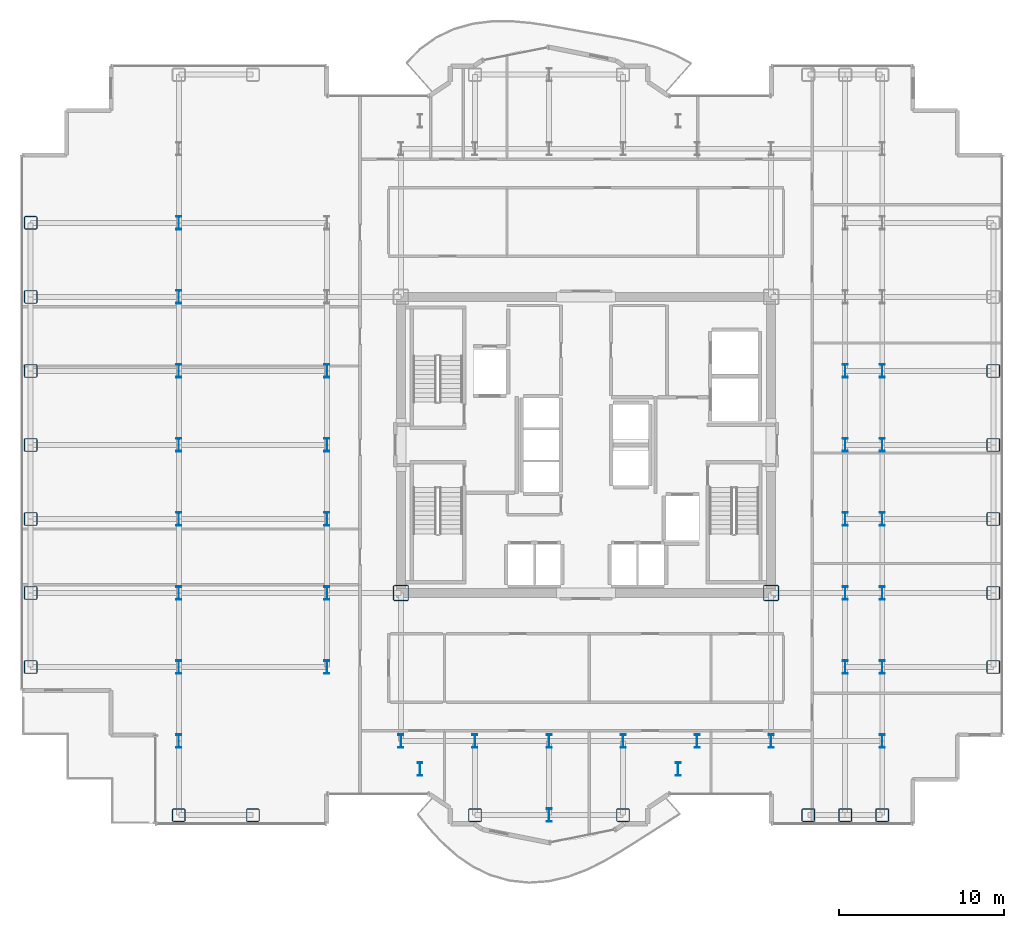
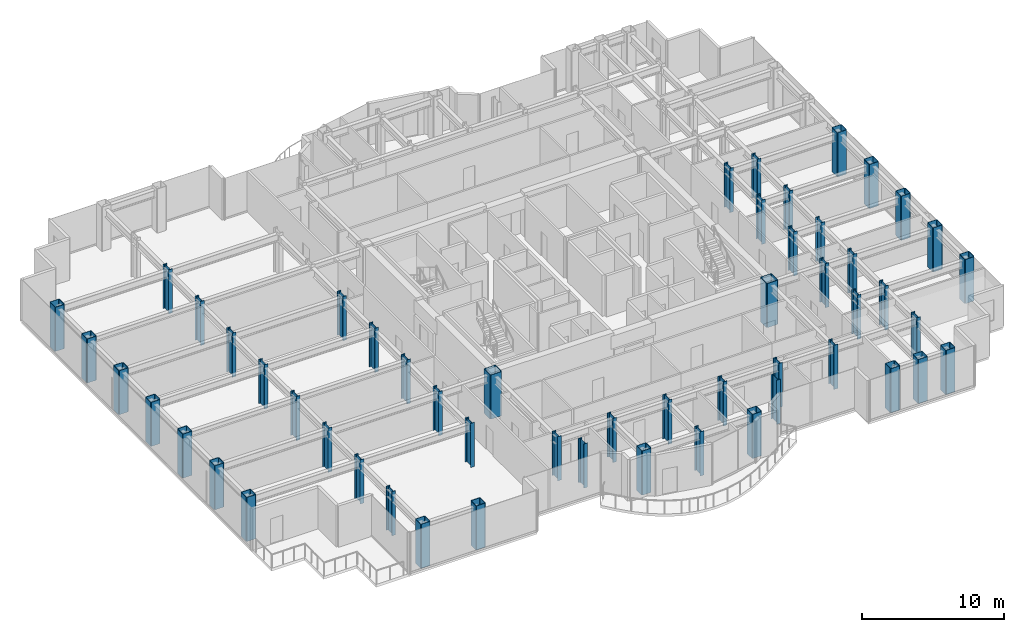
# One storey, part 1 of 23: 54 columns.
"""IFC4 building model written with IfcOpenShell, lengths in metres."""

from ifc_helpers import new_model, si_unit, direction, frame, origin, origin_2d, place, context, subcontext, project, spatial, hollow_rectangle, i_section, extrude, source, transform, mapped, material, material_profile, profile_set, type_object, element, save


model = new_model("IFC4")

# Units and contexts
model_context = context("Model", 3, precision=1e-05, world=origin(), true_north=direction((0.0, 1.0)))
body_context = subcontext(model_context, "Body", "Model", "MODEL_VIEW")
ifc_project = project(units=[si_unit("LENGTHUNIT", "METRE"), si_unit("AREAUNIT", "SQUARE_METRE"), si_unit("VOLUMEUNIT", "CUBIC_METRE"), si_unit("PLANEANGLEUNIT", "RADIAN"), si_unit("MASSUNIT", "GRAM", prefix="KILO")], contexts=[model_context])

# Site, building, storey
site_placement = place(None, origin())
site = spatial("IfcSite", under=ifc_project, at=site_placement, CompositionType="ELEMENT")
building_placement = place(site_placement, origin())
building = spatial("IfcBuilding", under=site, at=building_placement, Name="Nefas-Gora Pilgrimage Tower", CompositionType="ELEMENT")
storey_placement = place(building_placement, frame((0.0, 0.0, 164.0)))
storey = spatial("IfcBuildingStorey", under=building, at=storey_placement, Name="L40", CompositionType="ELEMENT", Elevation=164.0)

# Columns
ifc_material = material(Name="Steel S460", Category="steel")
ifc_material_profile_1 = material_profile(ifc_material, hollow_rectangle(XDim=0.949951171875, YDim=0.949951171875, WallThickness=0.044921875, InnerFilletRadius=0.044921875, OuterFilletRadius=0.090087890625, at=origin_2d()), Name="BOX 950x950x45")
ifc_profile_set_1 = profile_set([ifc_material_profile_1], Name="Steel S460")
column_type_1 = type_object("IfcColumnType", Name="COL-CORE-950", PredefinedType="COLUMN", material=ifc_profile_set_1)
shared_shape_1 = source(origin(), body_context, "Body", "SweptSolid", [
    extrude(hollow_rectangle(XDim=0.949951171875, YDim=0.949951171875, WallThickness=0.044921875, InnerFilletRadius=0.044921875, OuterFilletRadius=0.090087890625, at=origin_2d()), origin(), (0.0, 0.0, 1.0), 3.800048828125),
])
for number, where, z_axis, x_axis, name in (
    (1, (-11.25, -9.0, 0.0), (0.0, 0.0, 1.0), (1.0, 0.0, 0.0), "L40 Tower Column CC-Z1.29"),
    (2, (11.25, -9.0, 0.0), (0.0, 0.0, 1.0), (1.0, 0.0, 0.0), "L40 Tower Column CC-Z1.51"),
):
    element("IfcColumn", number, at=place(storey_placement, frame(where, z_axis=z_axis, x_axis=x_axis)), inside=storey, type_object=column_type_1, Name=name, PredefinedType="COLUMN", context=body_context, shape_type="MappedRepresentation", body=[
        mapped(shared_shape_1, transform((0.0, 0.0, 0.0), x_axis=(1.0, 0.0, 0.0), y_axis=(0.0, 1.0, 0.0), z_axis=(0.0, 0.0, 1.0), scale=1.0)),
    ])
ifc_material_profile_2 = material_profile(ifc_material, hollow_rectangle(XDim=0.800048828125, YDim=0.800048828125, WallThickness=0.0400390625, InnerFilletRadius=0.0400390625, OuterFilletRadius=0.080078125, at=origin_2d()), Name="BOX 800x800x40")
ifc_profile_set_2 = profile_set([ifc_material_profile_2], Name="Steel S460")
column_type_2 = type_object("IfcColumnType", Name="COL-TUBE-800", PredefinedType="COLUMN", material=ifc_profile_set_2)
shared_shape_2 = source(origin(), body_context, "Body", "SweptSolid", [
    extrude(hollow_rectangle(XDim=0.800048828125, YDim=0.800048828125, WallThickness=0.0400390625, InnerFilletRadius=0.0400390625, OuterFilletRadius=0.080078125, at=origin_2d()), origin(), (0.0, 0.0, 1.0), 3.800048828125),
])
for number, where, z_axis, x_axis, name in (
    (3, (-33.75, -13.5, 0.0), (0.0, 0.0, 1.0), (1.0, 0.0, 0.0), "L40 Tower Column C-Z2.1"),
    (4, (-33.75, -9.0, 0.0), (0.0, 0.0, 1.0), (1.0, 0.0, 0.0), "L40 Tower Column C-Z2.2"),
    (5, (-33.75, -4.5, 0.0), (0.0, 0.0, 1.0), (1.0, 0.0, 0.0), "L40 Tower Column C-Z2.3"),
    (6, (-33.75, 0.0, 0.0), (0.0, 0.0, 1.0), (1.0, 0.0, 0.0), "L40 Tower Column C-Z2.4"),
    (7, (-33.75, 4.5, 0.0), (0.0, 0.0, 1.0), (1.0, 0.0, 0.0), "L40 Tower Column C-Z2.5"),
    (8, (-33.75, 9.0, 0.0), (0.0, 0.0, 1.0), (1.0, 0.0, 0.0), "L40 Tower Column C-Z2.6"),
    (9, (-33.75, 13.5, 0.0), (0.0, 0.0, 1.0), (1.0, 0.0, 0.0), "L40 Tower Column C-Z2.7"),
    (10, (-24.75, -22.5, 0.0), (0.0, 0.0, 1.0), (1.0, 0.0, 0.0), "L40 Tower Column C-Z2.8"),
    (11, (-20.25, -22.5, 0.0), (0.0, 0.0, 1.0), (1.0, 0.0, 0.0), "L40 Tower Column C-Z2.19"),
    (12, (-6.75, -22.5, 0.0), (0.0, 0.0, 1.0), (1.0, 0.0, 0.0), "L40 Tower Column C-Z2.34"),
    (13, (2.25, -22.5, 0.0), (0.0, 0.0, 1.0), (1.0, 0.0, 0.0), "L40 Tower Column C-Z2.42"),
    (14, (13.5, -22.5, 0.0), (0.0, 0.0, 1.0), (1.0, 0.0, 0.0), "L40 Tower Column C-Z2.54"),
    (15, (15.75, -22.5, 0.0), (0.0, 0.0, 1.0), (1.0, 0.0, 0.0), "L40 Tower Column C-Z2.56"),
    (16, (18.0, -22.5, 0.0), (0.0, 0.0, 1.0), (1.0, 0.0, 0.0), "L40 Tower Column C-Z2.65"),
    (17, (24.75, -13.5, 0.0), (0.0, 0.0, 1.0), (1.0, 0.0, 0.0), "L40 Tower Column C-Z2.76"),
    (18, (24.75, -9.0, 0.0), (0.0, 0.0, 1.0), (1.0, 0.0, 0.0), "L40 Tower Column C-Z2.77"),
    (19, (24.75, -4.5, 0.0), (0.0, 0.0, 1.0), (1.0, 0.0, 0.0), "L40 Tower Column C-Z2.78"),
    (20, (24.75, 0.0, 0.0), (0.0, 0.0, 1.0), (1.0, 0.0, 0.0), "L40 Tower Column C-Z2.79"),
    (21, (24.75, 4.5, 0.0), (0.0, 0.0, 1.0), (1.0, 0.0, 0.0), "L40 Tower Column C-Z2.80"),
):
    element("IfcColumn", number, at=place(storey_placement, frame(where, z_axis=z_axis, x_axis=x_axis)), inside=storey, type_object=column_type_2, Name=name, PredefinedType="COLUMN", context=body_context, shape_type="MappedRepresentation", body=[
        mapped(shared_shape_2, transform((0.0, 0.0, 0.0), x_axis=(1.0, 0.0, 0.0), y_axis=(0.0, 1.0, 0.0), z_axis=(0.0, 0.0, 1.0), scale=1.0)),
    ])
ifc_material_profile_3 = material_profile(ifc_material, i_section(OverallWidth=0.302978515625, OverallDepth=0.81396484375, WebThickness=0.02099609375, FlangeThickness=0.0400390625, FilletRadius=0.030029296875, at=origin_2d()), Name="HEM 800")
ifc_profile_set_3 = profile_set([ifc_material_profile_3], Name="Steel S460")
column_type_3 = type_object("IfcColumnType", Name="COL-WEB-HEM800", PredefinedType="COLUMN", material=ifc_profile_set_3)
shared_shape_3 = source(origin(), body_context, "Body", "SweptSolid", [
    extrude(i_section(OverallWidth=0.302978515625, OverallDepth=0.81396484375, WebThickness=0.02099609375, FlangeThickness=0.0400390625, FilletRadius=0.030029296875, at=origin_2d()), origin(), (0.0, 0.0, 1.0), 3.800048828125),
])
for number, where, z_axis, x_axis, name in (
    (22, (-24.75, -18.0, 0.0), (0.0, 0.0, 1.0), (1.0, 0.0, 0.0), "L40 Tower Column CW-02.9"),
    (23, (-24.75, -13.5, 0.0), (0.0, 0.0, 1.0), (1.0, 0.0, 0.0), "L40 Tower Column CW-02.10"),
    (24, (-24.75, -9.0, 0.0), (0.0, 0.0, 1.0), (1.0, 0.0, 0.0), "L40 Tower Column CW-02.11"),
    (25, (-24.75, -4.5, 0.0), (0.0, 0.0, 1.0), (1.0, 0.0, 0.0), "L40 Tower Column CW-02.12"),
    (26, (-24.75, 0.0, 0.0), (0.0, 0.0, 1.0), (1.0, 0.0, 0.0), "L40 Tower Column CW-02.13"),
    (27, (-24.75, 4.5, 0.0), (0.0, 0.0, 1.0), (1.0, 0.0, 0.0), "L40 Tower Column CW-02.14"),
    (28, (-24.75, 9.0, 0.0), (0.0, 0.0, 1.0), (1.0, 0.0, 0.0), "L40 Tower Column CW-02.15"),
    (29, (-24.75, 13.5, 0.0), (0.0, 0.0, 1.0), (1.0, 0.0, 0.0), "L40 Tower Column CW-02.16"),
    (30, (-15.75, -13.5, 0.0), (0.0, 0.0, 1.0), (1.0, 0.0, 0.0), "L40 Tower Column CW-02.21"),
    (31, (-15.75, -9.0, 0.0), (0.0, 0.0, 1.0), (1.0, 0.0, 0.0), "L40 Tower Column CW-02.22"),
    (32, (-15.75, -4.5, 0.0), (0.0, 0.0, 1.0), (1.0, 0.0, 0.0), "L40 Tower Column CW-02.23"),
    (33, (-15.75, 0.0, 0.0), (0.0, 0.0, 1.0), (1.0, 0.0, 0.0), "L40 Tower Column CW-02.24"),
    (34, (-15.75, 4.5, 0.0), (0.0, 0.0, 1.0), (1.0, 0.0, 0.0), "L40 Tower Column CW-02.25"),
    (35, (-11.25, -18.0, 0.0), (0.0, 0.0, 1.0), (1.0, 0.0, 0.0), "L40 Tower Column CW-02.28"),
    (36, (-10.091064453125, -19.696044921875, 0.0), (0.0, 0.0, 1.0), (1.0, 0.0, 0.0), "L40 Tower Column CW-02.32"),
    (37, (-6.75, -18.0, 0.0), (0.0, 0.0, 1.0), (1.0, 0.0, 0.0), "L40 Tower Column CW-02.35"),
    (38, (-2.25, -22.5, 0.0), (0.0, 0.0, 1.0), (1.0, 0.0, 0.0), "L40 Tower Column CW-02.38"),
    (39, (-2.25, -18.0, 0.0), (0.0, 0.0, 1.0), (1.0, 0.0, 0.0), "L40 Tower Column CW-02.39"),
    (40, (2.25, -18.0, 0.0), (0.0, 0.0, 1.0), (1.0, 0.0, 0.0), "L40 Tower Column CW-02.43"),
    (41, (5.591064453125, -19.696044921875, 0.0), (0.0, 0.0, 1.0), (1.0, 0.0, 0.0), "L40 Tower Column CW-02.46"),
    (42, (6.75, -18.0, 0.0), (0.0, 0.0, 1.0), (1.0, 0.0, 0.0), "L40 Tower Column CW-02.48"),
    (43, (11.25, -18.0, 0.0), (0.0, 0.0, 1.0), (1.0, 0.0, 0.0), "L40 Tower Column CW-02.50"),
    (44, (15.75, -13.5, 0.0), (0.0, 0.0, 1.0), (1.0, 0.0, 0.0), "L40 Tower Column CW-02.57"),
    (45, (15.75, -9.0, 0.0), (0.0, 0.0, 1.0), (1.0, 0.0, 0.0), "L40 Tower Column CW-02.58"),
    (46, (15.75, -4.5, 0.0), (0.0, 0.0, 1.0), (1.0, 0.0, 0.0), "L40 Tower Column CW-02.59"),
    (47, (15.75, 0.0, 0.0), (0.0, 0.0, 1.0), (1.0, 0.0, 0.0), "L40 Tower Column CW-02.60"),
    (48, (15.75, 4.5, 0.0), (0.0, 0.0, 1.0), (1.0, 0.0, 0.0), "L40 Tower Column CW-02.61"),
    (49, (18.0, -18.0, 0.0), (0.0, 0.0, 1.0), (1.0, 0.0, 0.0), "L40 Tower Column CW-02.66"),
    (50, (18.0, -13.5, 0.0), (0.0, 0.0, 1.0), (1.0, 0.0, 0.0), "L40 Tower Column CW-02.67"),
    (51, (18.0, -9.0, 0.0), (0.0, 0.0, 1.0), (1.0, 0.0, 0.0), "L40 Tower Column CW-02.68"),
    (52, (18.0, -4.5, 0.0), (0.0, 0.0, 1.0), (1.0, 0.0, 0.0), "L40 Tower Column CW-02.69"),
    (53, (18.0, 0.0, 0.0), (0.0, 0.0, 1.0), (1.0, 0.0, 0.0), "L40 Tower Column CW-02.70"),
    (54, (18.0, 4.5, 0.0), (0.0, 0.0, 1.0), (1.0, 0.0, 0.0), "L40 Tower Column CW-02.71"),
):
    element("IfcColumn", number, at=place(storey_placement, frame(where, z_axis=z_axis, x_axis=x_axis)), inside=storey, type_object=column_type_3, Name=name, PredefinedType="COLUMN", context=body_context, shape_type="MappedRepresentation", body=[
        mapped(shared_shape_3, transform((0.0, 0.0, 0.0), x_axis=(1.0, 0.0, 0.0), y_axis=(0.0, 1.0, 0.0), z_axis=(0.0, 0.0, 1.0), scale=1.0)),
    ])

save(model, "model.ifc")
